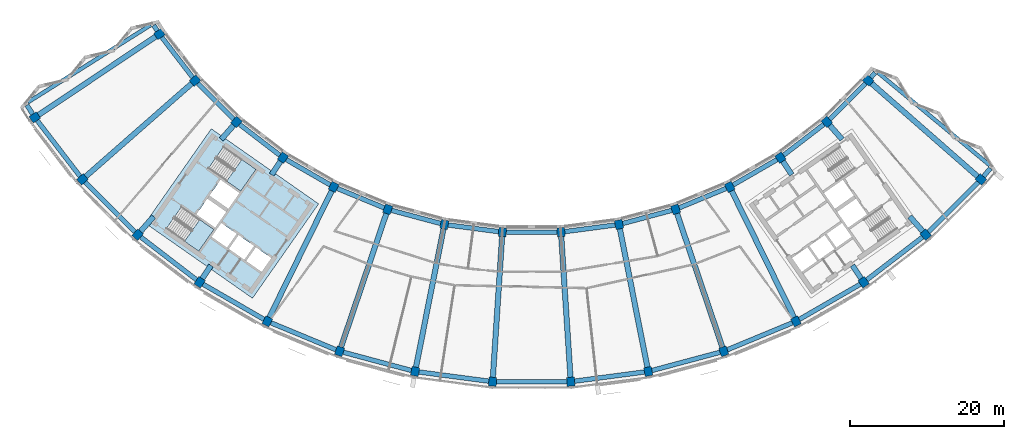
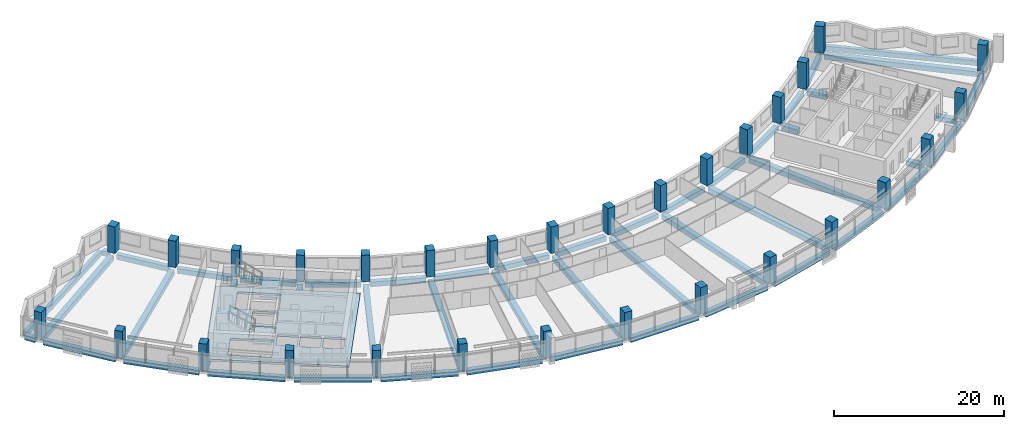
# One storey, part 1 of 28: 53 beams, 30 columns, 3 slabs, 2 elements without a shape of their own.
"""IFC4 building model written with IfcOpenShell, lengths in metres."""

from ifc_helpers import new_model, si_unit, direction, frame, origin, origin_2d, place, context, subcontext, project, spatial, polyline, rectangle, outline, extrude, material, layer, layer_set, material_profile, profile_set, type_object, element, aggregate, save


model = new_model("IFC4")

# Units and contexts
model_context = context("Model", 3, precision=1e-05, world=origin(), true_north=direction((0.0, 1.0)))
body_context = subcontext(model_context, "Body", "Model", "MODEL_VIEW")
ifc_project = project(units=[si_unit("LENGTHUNIT", "METRE"), si_unit("AREAUNIT", "SQUARE_METRE"), si_unit("VOLUMEUNIT", "CUBIC_METRE"), si_unit("PLANEANGLEUNIT", "RADIAN"), si_unit("MASSUNIT", "GRAM", prefix="KILO")], contexts=[model_context])

# Site, building, storey
site_placement = place(None, origin())
site = spatial("IfcSite", under=ifc_project, at=site_placement, CompositionType="ELEMENT")
building_placement = place(site_placement, origin())
building = spatial("IfcBuilding", under=site, at=building_placement, Name="Qamariyya Broadcast Tower", CompositionType="ELEMENT")
storey_placement = place(building_placement, frame((0.0, 0.0, 215.10009765625)))
storey = spatial("IfcBuildingStorey", under=building, at=storey_placement, Name="L51", CompositionType="ELEMENT", Elevation=215.10009765625)

# Columns
ifc_material_1 = material(Name="Concrete C60/75", Category="concrete")
ifc_material_profile_1 = material_profile(ifc_material_1, rectangle(XDim=1.0, YDim=1.14990234375, at=origin_2d()))
ifc_profile_set_1 = profile_set([ifc_material_profile_1], Name="Concrete C60/75")
column_type = type_object("IfcColumnType", Name="RC column 1000 x 1150 C60/75", PredefinedType="COLUMN", material=ifc_profile_set_1)
for number, where, z_axis, x_axis, name in (
    (1, (-48.43310546875, -32.362060546875, 0.0), (0.0, 0.0, 1.0), (0.55557023302, -0.831469612303, 0.0), "Column C11 L51 B-R03"),
    (2, (-64.646728515625, -43.195556640625, 0.0), (0.0, 0.0, 1.0), (0.55557023302, -0.831469612303, 0.0), "Column C11 L51 C-R03"),
    (3, (-43.794677734375, -38.406982421875, 0.0), (0.0, 0.0, 1.0), (0.6593458151, -0.751839807479, 0.0), "Column C11 L51 B-R04"),
    (4, (-58.45556640625, -51.26416015625, 0.0), (0.0, 0.0, 1.0), (0.6593458151, -0.751839807479, 0.0), "Column C11 L51 C-R04"),
    (5, (-38.406982421875, -43.794677734375, 0.0), (0.0, 0.0, 1.0), (0.751839807479, -0.6593458151, 0.0), "Column C11 L51 B-R05"),
    (6, (-51.26416015625, -58.45556640625, 0.0), (0.0, 0.0, 1.0), (0.751839807479, -0.6593458151, 0.0), "Column C11 L51 C-R05"),
    (7, (-32.362060546875, -48.43310546875, 0.0), (0.0, 0.0, 1.0), (0.831469612303, -0.55557023302, 0.0), "Column C11 L51 B-R06"),
    (8, (-43.195556640625, -64.646728515625, 0.0), (0.0, 0.0, 1.0), (0.831469612303, -0.55557023302, 0.0), "Column C11 L51 C-R06"),
    (9, (-25.763427734375, -52.242919921875, 0.0), (0.0, 0.0, 1.0), (0.896872741533, -0.442288690219, 0.0), "Column C11 L51 B-R07"),
    (10, (-34.387939453125, -69.73193359375, 0.0), (0.0, 0.0, 1.0), (0.896872741533, -0.442288690219, 0.0), "Column C11 L51 C-R07"),
    (11, (-18.723876953125, -55.15869140625, 0.0), (0.0, 0.0, 1.0), (0.946930129495, -0.321439465303, 0.0), "Column C11 L51 B-R08"),
    (12, (-24.991943359375, -73.623779296875, 0.0), (0.0, 0.0, 1.0), (0.946930129495, -0.321439465303, 0.0), "Column C11 L51 C-R08"),
    (13, (-11.364013671875, -57.130859375, 0.0), (0.0, 0.0, 1.0), (0.980785280403, -0.195090322016, 0.0), "Column C11 L51 B-R09"),
    (14, (-15.168212890625, -76.256103515625, 0.0), (0.0, 0.0, 1.0), (0.980785280403, -0.195090322016, 0.0), "Column C11 L51 C-R09"),
    (15, (-3.809814453125, -58.125244140625, 0.0), (0.0, 0.0, 1.0), (0.997858923239, -0.06540312923, 0.0), "Column C11 L51 B-R10"),
    (16, (-5.085205078125, -77.58349609375, 0.0), (0.0, 0.0, 1.0), (0.997858923239, -0.06540312923, 0.0), "Column C11 L51 C-R10"),
    (17, (3.809814453125, -58.125244140625, 0.0), (0.0, 0.0, 1.0), (0.997858923239, 0.06540312923, 0.0), "Column C11 L51 B-R11"),
    (18, (5.085205078125, -77.58349609375, 0.0), (0.0, 0.0, 1.0), (0.997858923239, 0.06540312923, 0.0), "Column C11 L51 C-R11"),
    (19, (11.364013671875, -57.130859375, 0.0), (0.0, 0.0, 1.0), (0.980785280403, 0.195090322016, 0.0), "Column C11 L51 B-R12"),
    (20, (15.168212890625, -76.256103515625, 0.0), (0.0, 0.0, 1.0), (0.980785280403, 0.195090322016, 0.0), "Column C11 L51 C-R12"),
    (21, (18.723876953125, -55.15869140625, 0.0), (0.0, 0.0, 1.0), (0.946930129495, 0.321439465303, 0.0), "Column C11 L51 B-R13"),
    (22, (24.991943359375, -73.623779296875, 0.0), (0.0, 0.0, 1.0), (0.946930129495, 0.321439465303, 0.0), "Column C11 L51 C-R13"),
    (23, (25.763427734375, -52.242919921875, 0.0), (0.0, 0.0, 1.0), (0.896872741533, 0.442288690219, 0.0), "Column C11 L51 B-R14"),
    (24, (34.387939453125, -69.73193359375, 0.0), (0.0, 0.0, 1.0), (0.896872741533, 0.442288690219, 0.0), "Column C11 L51 C-R14"),
    (25, (32.362060546875, -48.43310546875, 0.0), (0.0, 0.0, 1.0), (0.831469612303, 0.55557023302, 0.0), "Column C11 L51 B-R15"),
    (26, (43.195556640625, -64.646728515625, 0.0), (0.0, 0.0, 1.0), (0.831469612303, 0.55557023302, 0.0), "Column C11 L51 C-R15"),
    (27, (38.406982421875, -43.794677734375, 0.0), (0.0, 0.0, 1.0), (0.751839807479, 0.6593458151, 0.0), "Column C11 L51 B-R16"),
    (28, (51.26416015625, -58.45556640625, 0.0), (0.0, 0.0, 1.0), (0.751839807479, 0.6593458151, 0.0), "Column C11 L51 C-R16"),
    (29, (43.794677734375, -38.406982421875, 0.0), (0.0, 0.0, 1.0), (0.6593458151, 0.751839807479, 0.0), "Column C11 L51 B-R17"),
    (30, (58.45556640625, -51.26416015625, 0.0), (0.0, 0.0, 1.0), (0.6593458151, 0.751839807479, 0.0), "Column C11 L51 C-R17"),
):
    element("IfcColumn", number, at=place(storey_placement, frame(where, z_axis=z_axis, x_axis=x_axis)), inside=storey, type_object=column_type, Name=name, PredefinedType="COLUMN", context=body_context, shape_type="SweptSolid", body=[
        extrude(rectangle(XDim=1.0, YDim=1.14990234375, at=origin_2d()), origin(), (0.0, 0.0, 1.0), 3.7998046875),
    ])

# Beams
ifc_material_2 = material(Name="Concrete C40/50", Category="concrete")
ifc_material_profile_2 = material_profile(ifc_material_2, rectangle(XDim=0.60009765625, YDim=0.699951171875, at=origin_2d()))
ifc_profile_set_2 = profile_set([ifc_material_profile_2], Name="Concrete C40/50")
beam_type_1 = type_object("IfcBeamType", Name="RC edge beam 600 x 700 C40/50", PredefinedType="SPANDREL", material=ifc_profile_set_2)
for number, where, z_axis, x_axis, name in (
    (31, (-48.128173828125, -32.759521484375, -0.650146484375), (0.608788546151, -0.79333253184, 0.0), (0.79333253184, 0.608788546151, 0.0), "Edge beam B20 L51 B R03-R04"),
    (32, (-43.4404296875, -38.76123046875, -0.650146484375), (0.707106781187, -0.707106781187, 0.0), (0.707106781187, 0.707106781187, 0.0), "Edge beam B20 L51 B R04-R05"),
    (33, (-38.00927734375, -44.099609375, -0.650146484375), (0.79333253184, -0.608788546151, 0.0), (0.608788546151, 0.79333253184, 0.0), "Edge beam B20 L51 B R05-R06"),
):
    element("IfcBeam", number, at=place(storey_placement, frame(where, z_axis=z_axis, x_axis=x_axis)), inside=storey, type_object=beam_type_1, Name=name, PredefinedType="SPANDREL", context=body_context, shape_type="SweptSolid", body=[
        extrude(rectangle(XDim=0.60009765625, YDim=0.699951171875, at=origin_2d()), origin(), (0.0, 0.0, 1.0), 6.617431640625),
    ])
for number, where, z_axis, x_axis, name in (
    (34, (-31.927978515625, -48.68359375, -0.650146484375), (0.866027686223, -0.499996046679, 0.0), (0.499996046679, 0.866027686223, 0.0), "Edge beam B20 L51 B R06-R07"),
    (35, (-25.30029296875, -52.4345703125, -0.650146484375), (0.923870685948, -0.382704789159, 0.0), (0.382704789159, 0.923870685948, 0.0), "Edge beam B20 L51 B R07-R08"),
):
    element("IfcBeam", number, at=place(storey_placement, frame(where, z_axis=z_axis, x_axis=x_axis)), inside=storey, type_object=beam_type_1, Name=name, PredefinedType="SPANDREL", context=body_context, shape_type="SweptSolid", body=[
        extrude(rectangle(XDim=0.60009765625, YDim=0.699951171875, at=origin_2d()), origin(), (0.0, 0.0, 1.0), 6.6171875),
    ])
for number, where, z_axis, x_axis, name in (
    (36, (-18.23974609375, -55.288330078125, -0.650146484375), (0.965927466282, -0.258812924486, 0.0), (0.258812924486, 0.965927466282, 0.0), "Edge beam B20 L51 B R08-R09"),
    (37, (-10.8671875, -57.196044921875, -0.650146484375), (0.991444372314, -0.130529906942, 0.0), (0.130529906942, 0.991444372314, 0.0), "Edge beam B20 L51 B R09-R10"),
):
    element("IfcBeam", number, at=place(storey_placement, frame(where, z_axis=z_axis, x_axis=x_axis)), inside=storey, type_object=beam_type_1, Name=name, PredefinedType="SPANDREL", context=body_context, shape_type="SweptSolid", body=[
        extrude(rectangle(XDim=0.60009765625, YDim=0.699951171875, at=origin_2d()), origin(), (0.0, 0.0, 1.0), 6.617431640625),
    ])
beam_1_placement = place(storey_placement, frame((-3.30859375, -58.125244140625, -0.650146484375), z_axis=(1.0, 0.0, 0.0), x_axis=(0.0, 1.0, 0.0)))
element("IfcBeam", 38, at=beam_1_placement, inside=storey, type_object=beam_type_1, Name="Edge beam B20 L51 B R10-R11", PredefinedType="SPANDREL", context=body_context, shape_type="SweptSolid", body=[
    extrude(rectangle(XDim=0.60009765625, YDim=0.699951171875, at=origin_2d()), origin(), (0.0, 0.0, 1.0), 6.6171875),
])
for number, where, z_axis, x_axis, name in (
    (39, (4.306396484375, -58.059814453125, -0.650146484375), (0.991444372314, 0.130529906942, 0.0), (-0.130529906942, 0.991444372314, 0.0), "Edge beam B20 L51 B R11-R12"),
    (40, (11.847900390625, -57.0009765625, -0.650146484375), (0.965927466282, 0.258812924486, 0.0), (-0.258812924486, 0.965927466282, 0.0), "Edge beam B20 L51 B R12-R13"),
):
    element("IfcBeam", number, at=place(storey_placement, frame(where, z_axis=z_axis, x_axis=x_axis)), inside=storey, type_object=beam_type_1, Name=name, PredefinedType="SPANDREL", context=body_context, shape_type="SweptSolid", body=[
        extrude(rectangle(XDim=0.60009765625, YDim=0.699951171875, at=origin_2d()), origin(), (0.0, 0.0, 1.0), 6.617431640625),
    ])
for number, where, z_axis, x_axis, name in (
    (41, (19.186767578125, -54.967041015625, -0.650146484375), (0.923870685948, 0.382704789159, 0.0), (-0.382704789159, 0.923870685948, 0.0), "Edge beam B20 L51 B R13-R14"),
    (42, (26.197265625, -51.9921875, -0.650146484375), (0.866027686223, 0.499996046679, 0.0), (-0.499996046679, 0.866027686223, 0.0), "Edge beam B20 L51 B R14-R15"),
):
    element("IfcBeam", number, at=place(storey_placement, frame(where, z_axis=z_axis, x_axis=x_axis)), inside=storey, type_object=beam_type_1, Name=name, PredefinedType="SPANDREL", context=body_context, shape_type="SweptSolid", body=[
        extrude(rectangle(XDim=0.60009765625, YDim=0.699951171875, at=origin_2d()), origin(), (0.0, 0.0, 1.0), 6.6171875),
    ])
for number, where, z_axis, x_axis, name in (
    (43, (32.759521484375, -48.128173828125, -0.650146484375), (0.79333253184, 0.608788546151, 0.0), (-0.608788546151, 0.79333253184, 0.0), "Edge beam B20 L51 B R15-R16"),
    (44, (38.76123046875, -43.4404296875, -0.650146484375), (0.707106781187, 0.707106781187, 0.0), (-0.707106781187, 0.707106781187, 0.0), "Edge beam B20 L51 B R16-R17"),
):
    element("IfcBeam", number, at=place(storey_placement, frame(where, z_axis=z_axis, x_axis=x_axis)), inside=storey, type_object=beam_type_1, Name=name, PredefinedType="SPANDREL", context=body_context, shape_type="SweptSolid", body=[
        extrude(rectangle(XDim=0.60009765625, YDim=0.699951171875, at=origin_2d()), origin(), (0.0, 0.0, 1.0), 6.617431640625),
    ])
for number, where, z_axis, x_axis, name in (
    (45, (-64.341796875, -43.593017578125, -0.650146484375), (0.608761882331, -0.793352992445, 0.0), (0.793352992445, 0.608761882331, 0.0), "Edge beam B20 L51 C R03-R04"),
    (46, (-58.101318359375, -51.618408203125, -0.650146484375), (0.707106781187, -0.707106781187, 0.0), (0.707106781187, 0.707106781187, 0.0), "Edge beam B20 L51 C R04-R05"),
    (47, (-50.86669921875, -58.760498046875, -0.650146484375), (0.793352992445, -0.608761882331, 0.0), (0.608761882331, 0.793352992445, 0.0), "Edge beam B20 L51 C R05-R06"),
    (48, (-42.76171875, -64.897216796875, -0.650146484375), (0.866032154434, -0.49998830735, 0.0), (0.49998830735, 0.866032154434, 0.0), "Edge beam B20 L51 C R06-R07"),
    (49, (-33.925048828125, -69.923583984375, -0.650146484375), (0.923876946533, -0.382689675409, 0.0), (0.382689675409, 0.923876946533, 0.0), "Edge beam B20 L51 C R07-R08"),
):
    element("IfcBeam", number, at=place(storey_placement, frame(where, z_axis=z_axis, x_axis=x_axis)), inside=storey, type_object=beam_type_1, Name=name, PredefinedType="SPANDREL", context=body_context, shape_type="SweptSolid", body=[
        extrude(rectangle(XDim=0.60009765625, YDim=0.699951171875, at=origin_2d()), origin(), (0.0, 0.0, 1.0), 9.168212890625),
    ])
for number, where, z_axis, x_axis, name in (
    (50, (-24.5078125, -73.75341796875, -0.650146484375), (0.965919522093, -0.258842571536, 0.0), (0.258842571536, 0.965919522093, 0.0), "Edge beam B20 L51 C R08-R09"),
    (51, (-14.67138671875, -76.321533203125, -0.650146484375), (0.991446770895, -0.130511687147, 0.0), (0.130511687147, 0.991446770895, 0.0), "Edge beam B20 L51 C R09-R10"),
    (52, (-4.583984375, -77.58349609375, -0.650146484375), (1.0, 0.0, 0.0), (0.0, 1.0, 0.0), "Edge beam B20 L51 C R10-R11"),
    (53, (5.581787109375, -77.51806640625, -0.650146484375), (0.991446770895, 0.130511687147, 0.0), (-0.130511687147, 0.991446770895, 0.0), "Edge beam B20 L51 C R11-R12"),
    (54, (15.65234375, -76.12646484375, -0.650146484375), (0.965919522093, 0.258842571536, 0.0), (-0.258842571536, 0.965919522093, 0.0), "Edge beam B20 L51 C R12-R13"),
):
    element("IfcBeam", number, at=place(storey_placement, frame(where, z_axis=z_axis, x_axis=x_axis)), inside=storey, type_object=beam_type_1, Name=name, PredefinedType="SPANDREL", context=body_context, shape_type="SweptSolid", body=[
        extrude(rectangle(XDim=0.60009765625, YDim=0.699951171875, at=origin_2d()), origin(), (0.0, 0.0, 1.0), 9.16796875),
    ])
for number, where, z_axis, x_axis, name in (
    (55, (25.454833984375, -73.43212890625, -0.650146484375), (0.923876946533, 0.382689675409, 0.0), (-0.382689675409, 0.923876946533, 0.0), "Edge beam B20 L51 C R13-R14"),
    (56, (34.82177734375, -69.481201171875, -0.650146484375), (0.866032154434, 0.49998830735, 0.0), (-0.49998830735, 0.866032154434, 0.0), "Edge beam B20 L51 C R14-R15"),
    (57, (43.593017578125, -64.341796875, -0.650146484375), (0.793352992445, 0.608761882331, 0.0), (-0.608761882331, 0.793352992445, 0.0), "Edge beam B20 L51 C R15-R16"),
    (58, (51.618408203125, -58.101318359375, -0.650146484375), (0.707106781187, 0.707106781187, 0.0), (-0.707106781187, 0.707106781187, 0.0), "Edge beam B20 L51 C R16-R17"),
):
    element("IfcBeam", number, at=place(storey_placement, frame(where, z_axis=z_axis, x_axis=x_axis)), inside=storey, type_object=beam_type_1, Name=name, PredefinedType="SPANDREL", context=body_context, shape_type="SweptSolid", body=[
        extrude(rectangle(XDim=0.60009765625, YDim=0.699951171875, at=origin_2d()), origin(), (0.0, 0.0, 1.0), 9.168212890625),
    ])
ifc_material_profile_3 = material_profile(ifc_material_2, rectangle(XDim=0.60009765625, YDim=0.699951171875, at=origin_2d()))
ifc_profile_set_3 = profile_set([ifc_material_profile_3], Name="Concrete C40/50")
beam_type_2 = type_object("IfcBeamType", Name="RC horn beam 600 x 700 C40/50", PredefinedType="BEAM", material=ifc_profile_set_3)
beam_2_placement = place(storey_placement, frame((-48.705078125, -31.9423828125, -0.650146484375), z_axis=(-0.543984774234, 0.839095087223, 0.0), x_axis=(-0.839095087223, -0.543984774234, 0.0)))
element("IfcBeam", 59, at=beam_2_placement, inside=storey, type_object=beam_type_2, Name="Horn beam B19 L51 W B-R03", PredefinedType="BEAM", context=body_context, shape_type="SweptSolid", body=[
    extrude(rectangle(XDim=0.60009765625, YDim=0.699951171875, at=origin_2d()), origin(), (0.0, 0.0, 1.0), 0.85546875),
])
beam_3_placement = place(storey_placement, frame((-64.918701171875, -42.776123046875, -0.650146484375), z_axis=(-0.544057726003, 0.839047788136, 0.0), x_axis=(-0.839047788136, -0.544057726003, 0.0)))
element("IfcBeam", 60, at=beam_3_placement, inside=storey, type_object=beam_type_2, Name="Horn beam B19 L51 W C-R03", PredefinedType="BEAM", context=body_context, shape_type="SweptSolid", body=[
    extrude(rectangle(XDim=0.60009765625, YDim=0.699951171875, at=origin_2d()), origin(), (0.0, 0.0, 1.0), 1.392822265625),
])
beam_4_placement = place(storey_placement, frame((44.119140625, -38.0263671875, -0.650146484375), z_axis=(0.649097247772, 0.760705437692, 0.0), x_axis=(-0.760705437692, 0.649097247772, 0.0)))
element("IfcBeam", 61, at=beam_4_placement, inside=storey, type_object=beam_type_2, Name="Horn beam B19 L51 E B-R17", PredefinedType="BEAM", context=body_context, shape_type="SweptSolid", body=[
    extrude(rectangle(XDim=0.60009765625, YDim=0.699951171875, at=origin_2d()), origin(), (0.0, 0.0, 1.0), 0.855224609375),
])
beam_5_placement = place(storey_placement, frame((58.780029296875, -50.8837890625, -0.650146484375), z_axis=(0.648883935171, 0.760887402101, 0.0), x_axis=(-0.760887402101, 0.648883935171, 0.0)))
element("IfcBeam", 62, at=beam_5_placement, inside=storey, type_object=beam_type_2, Name="Horn beam B19 L51 E C-R17", PredefinedType="BEAM", context=body_context, shape_type="SweptSolid", body=[
    extrude(rectangle(XDim=0.60009765625, YDim=0.699951171875, at=origin_2d()), origin(), (0.0, 0.0, 1.0), 1.392822265625),
])
ifc_material_profile_4 = material_profile(ifc_material_2, rectangle(XDim=0.5, YDim=0.699951171875, at=origin_2d()))
ifc_profile_set_4 = profile_set([ifc_material_profile_4], Name="Concrete C40/50")
beam_type_3 = type_object("IfcBeamType", Name="RC horn cap beam 500 x 700 C40/50", PredefinedType="BEAM", material=ifc_profile_set_4)
beam_6_placement = place(storey_placement, frame((-49.560546875, -31.1748046875, -0.650146484375), z_axis=(-0.846467889406, -0.532439773311, 0.0), x_axis=(0.532439773311, -0.846467889406, 0.0)))
element("IfcBeam", 63, at=beam_6_placement, inside=storey, type_object=beam_type_3, Name="Horn cap beam B21 L51 W B-C", PredefinedType="BEAM", context=body_context, shape_type="SweptSolid", body=[
    extrude(rectangle(XDim=0.5, YDim=0.699951171875, at=origin_2d()), origin(), (0.0, 0.0, 1.0), 18.899658203125),
])
beam_7_placement = place(storey_placement, frame((45.0673828125, -37.376953125, -0.650146484375), z_axis=(0.769729010157, -0.638370778562, 0.0), x_axis=(0.638370778562, 0.769729010157, 0.0)))
element("IfcBeam", 64, at=beam_7_placement, inside=storey, type_object=beam_type_3, Name="Horn cap beam B21 L51 E B-C", PredefinedType="BEAM", context=body_context, shape_type="SweptSolid", body=[
    extrude(rectangle(XDim=0.5, YDim=0.699951171875, at=origin_2d()), origin(), (0.0, 0.0, 1.0), 18.89990234375),
])
ifc_material_profile_5 = material_profile(ifc_material_2, rectangle(XDim=0.699951171875, YDim=0.699951171875, at=origin_2d()))
ifc_profile_set_5 = profile_set([ifc_material_profile_5], Name="Concrete C40/50")
beam_type_4 = type_object("IfcBeamType", Name="RC radial beam 700 x 700 C40/50", PredefinedType="BEAM", material=ifc_profile_set_5)
beam_8_placement = place(storey_placement, frame((-48.9111328125, -32.681396484375, -0.650146484375), z_axis=(-0.831468530479, -0.55557185208, 0.0), x_axis=(0.55557185208, -0.831468530479, 0.0)))
element("IfcBeam", 65, at=beam_8_placement, inside=storey, type_object=beam_type_4, Name="Radial beam B18 L51 R03 B-C", PredefinedType="BEAM", context=body_context, shape_type="SweptSolid", body=[
    extrude(rectangle(XDim=0.699951171875, YDim=0.699951171875, at=origin_2d()), origin(), (0.0, 0.0, 1.0), 18.35009765625),
])
beam_9_placement = place(storey_placement, frame((-44.22705078125, -38.7861328125, -0.650146484375), z_axis=(-0.751840222646, -0.659345341692, 0.0), x_axis=(0.659345341692, -0.751840222646, 0.0)))
element("IfcBeam", 66, at=beam_9_placement, inside=storey, type_object=beam_type_4, Name="Radial beam B18 L51 R04 B-C", PredefinedType="BEAM", context=body_context, shape_type="SweptSolid", body=[
    extrude(rectangle(XDim=0.699951171875, YDim=0.699951171875, at=origin_2d()), origin(), (0.0, 0.0, 1.0), 18.349853515625),
])
beam_10_placement = place(storey_placement, frame((-38.7861328125, -44.22705078125, -0.650146484375), z_axis=(-0.659347500472, -0.751838329444, 0.0), x_axis=(0.751838329444, -0.659347500472, 0.0)))
element("IfcBeam", 67, at=beam_10_placement, inside=storey, type_object=beam_type_4, Name="Radial beam B18 L51 R05 B-C", PredefinedType="BEAM", context=body_context, shape_type="SweptSolid", body=[
    extrude(rectangle(XDim=0.699951171875, YDim=0.699951171875, at=origin_2d()), origin(), (0.0, 0.0, 1.0), 2.43896484375),
])
beam_11_placement = place(storey_placement, frame((-49.1943359375, -56.095458984375, -0.650146484375), z_axis=(-0.65936701245, -0.751821217373, 0.0), x_axis=(0.751821217373, -0.65936701245, 0.0)))
element("IfcBeam", 68, at=beam_11_placement, inside=storey, type_object=beam_type_4, Name="Radial beam B18 L51 R05 B-C", PredefinedType="BEAM", context=body_context, shape_type="SweptSolid", body=[
    extrude(rectangle(XDim=0.699951171875, YDim=0.699951171875, at=origin_2d()), origin(), (0.0, 0.0, 1.0), 2.56396484375),
])
beam_12_placement = place(storey_placement, frame((-32.681396484375, -48.9111328125, -0.650146484375), z_axis=(-0.555589685374, -0.831456614326, 0.0), x_axis=(0.831456614326, -0.555589685374, 0.0)))
element("IfcBeam", 69, at=beam_12_placement, inside=storey, type_object=beam_type_4, Name="Radial beam B18 L51 R06 B-C", PredefinedType="BEAM", context=body_context, shape_type="SweptSolid", body=[
    extrude(rectangle(XDim=0.699951171875, YDim=0.699951171875, at=origin_2d()), origin(), (0.0, 0.0, 1.0), 2.08935546875),
])
beam_13_placement = place(storey_placement, frame((-41.733154296875, -62.458251953125, -0.650146484375), z_axis=(-0.555630982199, -0.831429017788, 0.0), x_axis=(0.831429017788, -0.555630982199, 0.0)))
element("IfcBeam", 70, at=beam_13_placement, inside=storey, type_object=beam_type_4, Name="Radial beam B18 L51 R06 B-C", PredefinedType="BEAM", context=body_context, shape_type="SweptSolid", body=[
    extrude(rectangle(XDim=0.699951171875, YDim=0.699951171875, at=origin_2d()), origin(), (0.0, 0.0, 1.0), 2.05712890625),
])
beam_14_placement = place(storey_placement, frame((-26.017578125, -52.758544921875, -0.650146484375), z_axis=(-0.442289405452, -0.896872388819, 0.0), x_axis=(0.896872388819, -0.442289405452, 0.0)))
element("IfcBeam", 71, at=beam_14_placement, inside=storey, type_object=beam_type_4, Name="Radial beam B18 L51 R07 B-C", PredefinedType="BEAM", context=body_context, shape_type="SweptSolid", body=[
    extrude(rectangle(XDim=0.699951171875, YDim=0.699951171875, at=origin_2d()), origin(), (0.0, 0.0, 1.0), 18.349853515625),
])
for number, where, z_axis, x_axis, name in (
    (72, (-18.90869140625, -55.703125, -0.650146484375), (-0.321439728167, -0.946930040265, 0.0), (0.946930040265, -0.321439728167, 0.0), "Radial beam B18 L51 R08 B-C"),
    (73, (-11.47607421875, -57.694580078125, -0.650146484375), (-0.195097720648, -0.980783808695, 0.0), (0.980783808695, -0.195097720648, 0.0), "Radial beam B18 L51 R09 B-C"),
    (74, (-3.847412109375, -58.698974609375, -0.650146484375), (-0.065405444204, -0.997858771505, 0.0), (0.997858771505, -0.065405444204, 0.0), "Radial beam B18 L51 R10 B-C"),
    (75, (3.847412109375, -58.698974609375, -0.650146484375), (0.065405444204, -0.997858771505, 0.0), (0.997858771505, 0.065405444204, 0.0), "Radial beam B18 L51 R11 B-C"),
    (76, (11.47607421875, -57.694580078125, -0.650146484375), (0.195097720648, -0.980783808695, 0.0), (0.980783808695, 0.195097720648, 0.0), "Radial beam B18 L51 R12 B-C"),
    (77, (18.90869140625, -55.703125, -0.650146484375), (0.321439728167, -0.946930040265, 0.0), (0.946930040265, 0.321439728167, 0.0), "Radial beam B18 L51 R13 B-C"),
):
    element("IfcBeam", number, at=place(storey_placement, frame(where, z_axis=z_axis, x_axis=x_axis)), inside=storey, type_object=beam_type_4, Name=name, PredefinedType="BEAM", context=body_context, shape_type="SweptSolid", body=[
        extrude(rectangle(XDim=0.699951171875, YDim=0.699951171875, at=origin_2d()), origin(), (0.0, 0.0, 1.0), 18.35009765625),
    ])
beam_15_placement = place(storey_placement, frame((26.017578125, -52.758544921875, -0.650146484375), z_axis=(0.442289405452, -0.896872388819, 0.0), x_axis=(0.896872388819, 0.442289405452, 0.0)))
element("IfcBeam", 78, at=beam_15_placement, inside=storey, type_object=beam_type_4, Name="Radial beam B18 L51 R14 B-C", PredefinedType="BEAM", context=body_context, shape_type="SweptSolid", body=[
    extrude(rectangle(XDim=0.699951171875, YDim=0.699951171875, at=origin_2d()), origin(), (0.0, 0.0, 1.0), 18.349853515625),
])
beam_16_placement = place(storey_placement, frame((32.681396484375, -48.9111328125, -0.650146484375), z_axis=(0.555589685374, -0.831456614326, 0.0), x_axis=(0.831456614326, 0.555589685374, 0.0)))
element("IfcBeam", 79, at=beam_16_placement, inside=storey, type_object=beam_type_4, Name="Radial beam B18 L51 R15 B-C", PredefinedType="BEAM", context=body_context, shape_type="SweptSolid", body=[
    extrude(rectangle(XDim=0.699951171875, YDim=0.699951171875, at=origin_2d()), origin(), (0.0, 0.0, 1.0), 2.08935546875),
])
beam_17_placement = place(storey_placement, frame((41.733154296875, -62.458251953125, -0.650146484375), z_axis=(0.555630982199, -0.831429017788, 0.0), x_axis=(0.831429017788, 0.555630982199, 0.0)))
element("IfcBeam", 80, at=beam_17_placement, inside=storey, type_object=beam_type_4, Name="Radial beam B18 L51 R15 B-C", PredefinedType="BEAM", context=body_context, shape_type="SweptSolid", body=[
    extrude(rectangle(XDim=0.699951171875, YDim=0.699951171875, at=origin_2d()), origin(), (0.0, 0.0, 1.0), 2.05712890625),
])
beam_18_placement = place(storey_placement, frame((38.7861328125, -44.22705078125, -0.650146484375), z_axis=(0.659347500472, -0.751838329444, 0.0), x_axis=(0.751838329444, 0.659347500472, 0.0)))
element("IfcBeam", 81, at=beam_18_placement, inside=storey, type_object=beam_type_4, Name="Radial beam B18 L51 R16 B-C", PredefinedType="BEAM", context=body_context, shape_type="SweptSolid", body=[
    extrude(rectangle(XDim=0.699951171875, YDim=0.699951171875, at=origin_2d()), origin(), (0.0, 0.0, 1.0), 2.43896484375),
])
beam_19_placement = place(storey_placement, frame((49.1943359375, -56.095458984375, -0.650146484375), z_axis=(0.65936701245, -0.751821217373, 0.0), x_axis=(0.751821217373, 0.65936701245, 0.0)))
element("IfcBeam", 82, at=beam_19_placement, inside=storey, type_object=beam_type_4, Name="Radial beam B18 L51 R16 B-C", PredefinedType="BEAM", context=body_context, shape_type="SweptSolid", body=[
    extrude(rectangle(XDim=0.699951171875, YDim=0.699951171875, at=origin_2d()), origin(), (0.0, 0.0, 1.0), 2.56396484375),
])
beam_20_placement = place(storey_placement, frame((44.22705078125, -38.7861328125, -0.650146484375), z_axis=(0.751840222646, -0.659345341692, 0.0), x_axis=(0.659345341692, 0.751840222646, 0.0)))
element("IfcBeam", 83, at=beam_20_placement, inside=storey, type_object=beam_type_4, Name="Radial beam B18 L51 R17 B-C", PredefinedType="BEAM", context=body_context, shape_type="SweptSolid", body=[
    extrude(rectangle(XDim=0.699951171875, YDim=0.699951171875, at=origin_2d()), origin(), (0.0, 0.0, 1.0), 18.349853515625),
])

# Slab
ifc_layer_1 = layer(ifc_material_2, 0.300048828125)
ifc_layer_set_1 = layer_set([ifc_layer_1], Name="Core floor slab 300 mm Concrete C40/50")
slab_type_1 = type_object("IfcSlabType", Name="Core floor slab 300 mm Concrete C40/50", PredefinedType="FLOOR", material=ifc_layer_set_1)
slab_1_placement = place(storey_placement, frame((0.0, 0.0, -0.300048828125)))
element("IfcSlab", 84, at=slab_1_placement, inside=storey, type_object=slab_type_1, Name="k-W-L51-slab", PredefinedType="FLOOR", context=body_context, shape_type="SweptSolid", body=[
    extrude(outline(polyline([(-50.286376953125, -56.95751953125), (-36.32373046875, -66.734375), (-27.719970703125, -54.447021484375), (-41.6826171875, -44.67041015625), (-50.286376953125, -56.95751953125)]), holes=[polyline([(-33.87353515625, -61.49169921875), (-35.88037109375, -60.08642578125), (-37.142333984375, -61.888427734375), (-35.13525390625, -63.293701171875), (-33.87353515625, -61.49169921875)]), polyline([(-36.126220703125, -59.914306640625), (-38.133056640625, -58.509033203125), (-39.394775390625, -60.311279296875), (-37.387939453125, -61.716552734375), (-36.126220703125, -59.914306640625)]), polyline([(-38.378662109375, -58.3369140625), (-40.3857421875, -56.931640625), (-41.6474609375, -58.73388671875), (-39.640625, -60.13916015625), (-38.378662109375, -58.3369140625)]), polyline([(-39.742431640625, -55.489990234375), (-42.199951171875, -53.769287109375), (-43.6337890625, -55.817138671875), (-41.17626953125, -57.537841796875), (-39.742431640625, -55.489990234375)]), polyline([(-39.45556640625, -55.080322265625), (-41.9130859375, -53.359619140625), (-40.47900390625, -51.311767578125), (-38.021728515625, -53.032470703125), (-39.45556640625, -55.080322265625)]), polyline([(-42.06103515625, -49.837890625), (-37.849609375, -52.78662109375), (-35.870849609375, -49.960693359375), (-40.082275390625, -47.01171875), (-42.06103515625, -49.837890625)]), polyline([(-47.538818359375, -57.66064453125), (-43.3271484375, -60.609619140625), (-41.348388671875, -57.783447265625), (-45.559814453125, -54.834716796875), (-47.538818359375, -57.66064453125)])]), origin(), (0.0, 0.0, 1.0), 0.300048828125),
])

# Stair, slab
ifc_material_3 = material(Name="Concrete C50/60", Category="concrete")
stair_type = type_object("IfcStairType", Name="Exit stair 22 risers of 173 mm", PredefinedType="HALF_TURN_STAIR", material=ifc_material_3)
stair_1_placement = place(storey_placement, origin())
stair_1 = element("IfcStair", 85, at=stair_1_placement, inside=storey, type_object=stair_type, Name="L51 Stair W2", PredefinedType="HALF_TURN_STAIR")
ifc_layer_2 = layer(ifc_material_3, 0.199951171875)
ifc_layer_set_2 = layer_set([ifc_layer_2], Name="Stair landing")
slab_type_2 = type_object("IfcSlabType", Name="Stair landing", PredefinedType="LANDING", material=ifc_layer_set_2)
slab_2_placement = place(storey_placement, frame((0.0, 0.0, 1.699951171875)))
slab_2 = element("IfcSlab", 86, at=slab_2_placement, type_object=slab_type_2, Name="ST-W2 landing 1", PredefinedType="LANDING", context=body_context, shape_type="SweptSolid", body=[
    extrude(outline(polyline([(-39.692138671875, -51.49658203125), (-37.849609375, -52.78662109375), (-35.870849609375, -49.960693359375), (-37.71337890625, -48.67041015625), (-39.692138671875, -51.49658203125)])), origin(), (0.0, 0.0, 1.0), 0.199951171875),
])
aggregate(stair_1, [slab_2])

stair_2_placement = place(storey_placement, origin())
stair_2 = element("IfcStair", 87, at=stair_2_placement, inside=storey, type_object=stair_type, Name="L51 Stair W1", PredefinedType="HALF_TURN_STAIR")
slab_3_placement = place(storey_placement, frame((0.0, 0.0, 1.699951171875)))
slab_3 = element("IfcSlab", 88, at=slab_3_placement, type_object=slab_type_2, Name="ST-W1 landing 1", PredefinedType="LANDING", context=body_context, shape_type="SweptSolid", body=[
    extrude(outline(polyline([(-45.169677734375, -59.319580078125), (-43.3271484375, -60.609619140625), (-41.348388671875, -57.783447265625), (-43.19091796875, -56.493408203125), (-45.169677734375, -59.319580078125)])), origin(), (0.0, 0.0, 1.0), 0.199951171875),
])
aggregate(stair_2, [slab_3])

save(model, "model.ifc")
